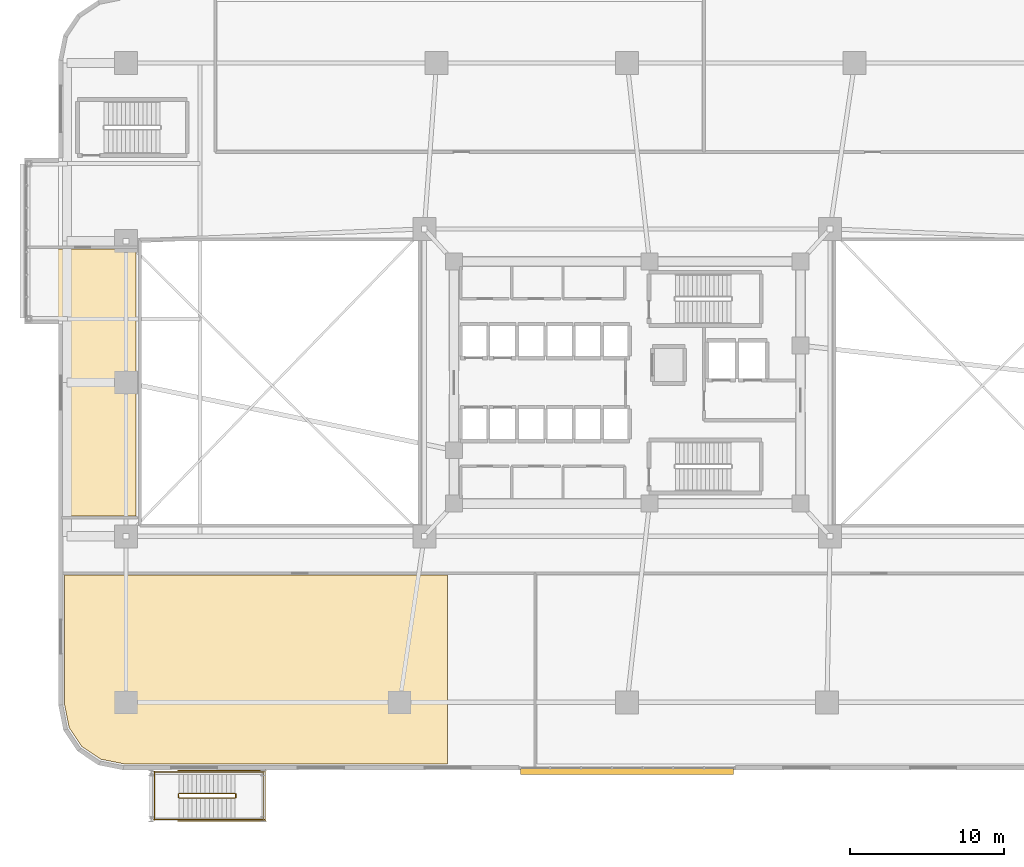
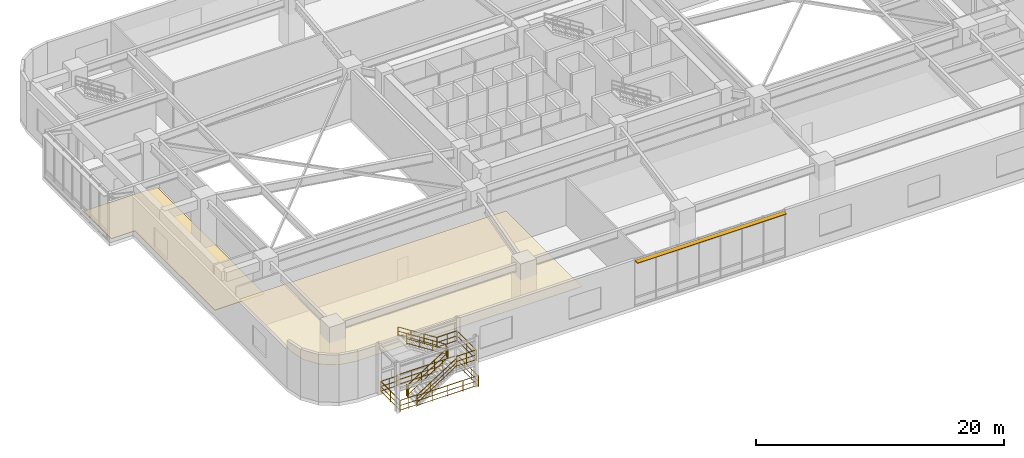
# One storey, part 20 of 24: 15 railings, 2 coverings, 1 shading device.
"""IFC4 building model written with IfcOpenShell, lengths in metres."""

from ifc_helpers import new_model, si_unit, direction, frame, origin, origin_2d, place, context, subcontext, project, spatial, polyline, rectangle, outline, extrude, material, layer, layer_set, type_object, element, save


model = new_model("IFC4")

# Units and contexts
model_context = context("Model", 3, precision=1e-05, world=origin(), true_north=direction((0.0, 1.0)))
body_context = subcontext(model_context, "Body", "Model", "MODEL_VIEW")
ifc_project = project(units=[si_unit("LENGTHUNIT", "METRE"), si_unit("AREAUNIT", "SQUARE_METRE"), si_unit("VOLUMEUNIT", "CUBIC_METRE"), si_unit("PLANEANGLEUNIT", "RADIAN"), si_unit("MASSUNIT", "GRAM", prefix="KILO")], contexts=[model_context])

# Site, building, storey
site_placement = place(None, origin())
site = spatial("IfcSite", under=ifc_project, at=site_placement, CompositionType="ELEMENT")
building_placement = place(site_placement, origin())
building = spatial("IfcBuilding", under=site, at=building_placement, Name="Zulverin Broadcast Headquarters", CompositionType="ELEMENT")
storey_placement = place(building_placement, frame((0.0, 0.0, 5.0)))
storey = spatial("IfcBuildingStorey", under=building, at=storey_placement, Name="L01", CompositionType="ELEMENT", Elevation=5.0)

# Coverings
ifc_material_1 = material(Name="Perforated pale-metal acoustic baffle ceiling", Category="aluminium")
ifc_layer_1 = layer(ifc_material_1, 0.0400390625, Name="Perforated pale-metal acoustic baffle ceiling", Category="aluminium")
ifc_layer_set_1 = layer_set([ifc_layer_1], Name="Perforated pale-metal acoustic baffle ceiling")
covering_type_1 = type_object("IfcCoveringType", Name="COV-CEIL-ACOU", PredefinedType="CEILING", material=ifc_layer_set_1)
covering_1_placement = place(storey_placement, frame((0.0, 0.0, 3.389892578125)))
element("IfcCovering", 1, at=covering_1_placement, inside=storey, type_object=covering_type_1, Name="L01 Acoustic Baffle Ceiling 01", PredefinedType="CEILING", context=body_context, shape_type="SweptSolid", body=[
    extrude(outline(polyline([(0.39990234375, 4.239990234375), (0.696044921875, 2.748046875), (1.52001953125, 1.52001953125), (2.748046875, 0.696044921875), (4.239990234375, 0.39990234375), (25.300048828125, 0.39990234375), (25.300048828125, 12.679931640625), (0.39990234375, 12.679931640625), (0.39990234375, 4.239990234375)])), origin(), (0.0, 0.0, 1.0), 0.0400390625),
])
ifc_material_2 = material(Name="Anti-static broadcast raised access flooring", Category="stone")
ifc_layer_2 = layer(ifc_material_2, 0.050048828125, Name="Anti-static broadcast raised access flooring", Category="stone")
ifc_layer_set_2 = layer_set([ifc_layer_2], Name="Anti-static broadcast raised access flooring")
covering_type_2 = type_object("IfcCoveringType", Name="COV-FLR-RAISED", PredefinedType="FLOORING", material=ifc_layer_set_2)
covering_2_placement = place(storey_placement, origin())
element("IfcCovering", 2, at=covering_2_placement, inside=storey, type_object=covering_type_2, Name="L01 Broadcast Raised Access Flooring 02", PredefinedType="FLOORING", context=body_context, shape_type="SweptSolid", body=[
    extrude(outline(polyline([(5.031982421875, 16.52001953125), (5.031982421875, 33.8798828125), (-1.800048828125, 33.8798828125), (-1.800048828125, 29.39990234375), (0.280029296875, 29.39990234375), (0.2919921875, 29.39990234375), (0.303955078125, 29.39599609375), (0.31591796875, 29.39599609375), (0.323974609375, 29.39208984375), (0.3359375, 29.384033203125), (0.347900390625, 29.3798828125), (0.35595703125, 29.3720703125), (0.364013671875, 29.364013671875), (0.3720703125, 29.35595703125), (0.3798828125, 29.347900390625), (0.384033203125, 29.3359375), (0.39208984375, 29.323974609375), (0.39599609375, 29.31591796875), (0.39599609375, 29.303955078125), (0.39990234375, 29.2919921875), (0.39990234375, 29.280029296875), (0.39990234375, 16.52001953125), (5.031982421875, 16.52001953125)])), origin(), (0.0, 0.0, 1.0), 0.050048828125),
])

# Railings
ifc_material_3 = material(Name="Painted galvanized steel tubular guardrail S355JR", Category="steel")
railing_type_1 = type_object("IfcRailingType", Name="RL-ST-GUARD", PredefinedType="GUARDRAIL", material=ifc_material_3)
railing_1_placement = place(storey_placement, frame((7.85009765625, -1.830078125, 0.178466796875)))
element("IfcRailing", 3, at=railing_1_placement, inside=storey, type_object=railing_type_1, Name="L01 ST-5 stair guard 1", PredefinedType="GUARDRAIL", context=body_context, shape_type="SweptSolid", body=[
    extrude(rectangle(XDim=0.048095703125, YDim=0.048095703125, at=origin_2d()), frame((0.0, 0.0, 1.076171875), z_axis=(0.843111507901, 0.0, 0.53773877045), x_axis=(0.0, 1.0, 0.0)), (0.0, 0.0, 1.0), 4.317138671875),
    extrude(rectangle(XDim=0.0419921875, YDim=0.0419921875, at=origin_2d()), frame((0.0, 0.0, 0.572021484375), z_axis=(0.843111507901, 0.0, 0.53773877045), x_axis=(0.0, 1.0, 0.0)), (0.0, 0.0, 1.0), 4.317138671875),
    extrude(rectangle(XDim=0.0419921875, YDim=0.0419921875, at=origin_2d()), frame((0.0, 0.0, 0.1201171875), z_axis=(0.843111507901, 0.0, 0.53773877045), x_axis=(0.0, 1.0, 0.0)), (0.0, 0.0, 1.0), 4.317138671875),
    extrude(rectangle(XDim=0.0419921875, YDim=0.0419921875, at=origin_2d()), origin(), (0.0, 0.0, 1.0), 1.052001953125),
    extrude(rectangle(XDim=0.0419921875, YDim=0.0419921875, at=origin_2d()), frame((1.21337890625, 0.0, 0.77392578125)), (0.0, 0.0, 1.0), 1.052001953125),
    extrude(rectangle(XDim=0.0419921875, YDim=0.0419921875, at=origin_2d()), frame((2.426513671875, 0.0, 1.547607421875)), (0.0, 0.0, 1.0), 1.052001953125),
    extrude(rectangle(XDim=0.0419921875, YDim=0.0419921875, at=origin_2d()), frame((3.639892578125, 0.0, 2.321533203125)), (0.0, 0.0, 1.0), 1.052001953125),
])
railing_2_placement = place(storey_placement, frame((11.5400390625, -1.780029296875, 2.5)))
element("IfcRailing", 4, at=railing_2_placement, inside=storey, type_object=railing_type_1, Name="L01 ST-5 stair guard 2", PredefinedType="GUARDRAIL", context=body_context, shape_type="SweptSolid", body=[
    extrude(rectangle(XDim=0.048095703125, YDim=0.048095703125, at=origin_2d()), frame((0.0, 0.0, 1.076171875), z_axis=(0.0, 1.0, 0.0), x_axis=(-1.0, 0.0, 0.0)), (0.0, 0.0, 1.0), 0.199951171875),
    extrude(rectangle(XDim=0.0419921875, YDim=0.0419921875, at=origin_2d()), frame((0.0, 0.0, 0.572021484375), z_axis=(0.0, 1.0, 0.0), x_axis=(-1.0, 0.0, 0.0)), (0.0, 0.0, 1.0), 0.199951171875),
    extrude(rectangle(XDim=0.0419921875, YDim=0.0419921875, at=origin_2d()), frame((0.0, 0.0, 0.1201171875), z_axis=(0.0, 1.0, 0.0), x_axis=(-1.0, 0.0, 0.0)), (0.0, 0.0, 1.0), 0.199951171875),
    extrude(rectangle(XDim=0.0419921875, YDim=0.0419921875, at=origin_2d()), origin(), (0.0, 0.0, 1.0), 1.052001953125),
    extrude(rectangle(XDim=0.0419921875, YDim=0.0419921875, at=origin_2d()), frame((0.0, 0.199951171875, 0.0)), (0.0, 0.0, 1.0), 1.052001953125),
])
for number, where, name in (
    (5, (11.489990234375, -3.22998046875, 2.5), "L01 ST-5 stair guard 3"),
    (6, (11.489990234375, -0.1298828125, 2.5), "L01 ST-5 stair guard 4"),
):
    element("IfcRailing", number, at=place(storey_placement, frame(where)), inside=storey, type_object=railing_type_1, Name=name, PredefinedType="GUARDRAIL", context=body_context, shape_type="SweptSolid", body=[
        extrude(rectangle(XDim=0.048095703125, YDim=0.048095703125, at=origin_2d()), frame((0.0, 0.0, 1.076171875), z_axis=(1.0, 0.0, 0.0), x_axis=(0.0, 1.0, 0.0)), (0.0, 0.0, 1.0), 1.909912109375),
        extrude(rectangle(XDim=0.0419921875, YDim=0.0419921875, at=origin_2d()), frame((0.0, 0.0, 0.572021484375), z_axis=(1.0, 0.0, 0.0), x_axis=(0.0, 1.0, 0.0)), (0.0, 0.0, 1.0), 1.909912109375),
        extrude(rectangle(XDim=0.0419921875, YDim=0.0419921875, at=origin_2d()), frame((0.0, 0.0, 0.1201171875), z_axis=(1.0, 0.0, 0.0), x_axis=(0.0, 1.0, 0.0)), (0.0, 0.0, 1.0), 1.909912109375),
        extrude(rectangle(XDim=0.0419921875, YDim=0.0419921875, at=origin_2d()), origin(), (0.0, 0.0, 1.0), 1.052001953125),
        extrude(rectangle(XDim=0.0419921875, YDim=0.0419921875, at=origin_2d()), frame((0.955078125, 0.0, 0.0)), (0.0, 0.0, 1.0), 1.052001953125),
        extrude(rectangle(XDim=0.0419921875, YDim=0.0419921875, at=origin_2d()), frame((1.909912109375, 0.0, 0.0)), (0.0, 0.0, 1.0), 1.052001953125),
    ])
railing_3_placement = place(storey_placement, frame((13.35009765625, -3.280029296875, 2.5)))
element("IfcRailing", 7, at=railing_3_placement, inside=storey, type_object=railing_type_1, Name="L01 ST-5 stair guard 5", PredefinedType="GUARDRAIL", context=body_context, shape_type="SweptSolid", body=[
    extrude(rectangle(XDim=0.048095703125, YDim=0.048095703125, at=origin_2d()), frame((0.0, 0.0, 1.076171875), z_axis=(0.0, 1.0, 0.0), x_axis=(-1.0, 0.0, 0.0)), (0.0, 0.0, 1.0), 3.199951171875),
    extrude(rectangle(XDim=0.0419921875, YDim=0.0419921875, at=origin_2d()), frame((0.0, 0.0, 0.572021484375), z_axis=(0.0, 1.0, 0.0), x_axis=(-1.0, 0.0, 0.0)), (0.0, 0.0, 1.0), 3.199951171875),
    extrude(rectangle(XDim=0.0419921875, YDim=0.0419921875, at=origin_2d()), frame((0.0, 0.0, 0.1201171875), z_axis=(0.0, 1.0, 0.0), x_axis=(-1.0, 0.0, 0.0)), (0.0, 0.0, 1.0), 3.199951171875),
    extrude(rectangle(XDim=0.0419921875, YDim=0.0419921875, at=origin_2d()), origin(), (0.0, 0.0, 1.0), 1.052001953125),
    extrude(rectangle(XDim=0.0419921875, YDim=0.0419921875, at=origin_2d()), frame((0.0, 1.60009765625, 0.0)), (0.0, 0.0, 1.0), 1.052001953125),
    extrude(rectangle(XDim=0.0419921875, YDim=0.0419921875, at=origin_2d()), frame((0.0, 3.199951171875, 0.0)), (0.0, 0.0, 1.0), 1.052001953125),
])
railing_4_placement = place(storey_placement, frame((11.489990234375, -1.530029296875, 2.678466796875)))
element("IfcRailing", 8, at=railing_4_placement, inside=storey, type_object=railing_type_1, Name="L01 ST-5 stair guard 6", PredefinedType="GUARDRAIL", context=body_context, shape_type="SweptSolid", body=[
    extrude(rectangle(XDim=0.048095703125, YDim=0.048095703125, at=origin_2d()), frame((0.0, 0.0, 1.076171875), z_axis=(-0.843111507901, 0.0, 0.53773877045), x_axis=(0.0, -1.0, 0.0)), (0.0, 0.0, 1.0), 4.317138671875),
    extrude(rectangle(XDim=0.0419921875, YDim=0.0419921875, at=origin_2d()), frame((0.0, 0.0, 0.572021484375), z_axis=(-0.843111507901, 0.0, 0.53773877045), x_axis=(0.0, -1.0, 0.0)), (0.0, 0.0, 1.0), 4.317138671875),
    extrude(rectangle(XDim=0.0419921875, YDim=0.0419921875, at=origin_2d()), frame((0.0, 0.0, 0.1201171875), z_axis=(-0.843111507901, 0.0, 0.53773877045), x_axis=(0.0, -1.0, 0.0)), (0.0, 0.0, 1.0), 4.317138671875),
    extrude(rectangle(XDim=0.0419921875, YDim=0.0419921875, at=origin_2d()), origin(), (0.0, 0.0, 1.0), 1.052001953125),
    extrude(rectangle(XDim=0.0419921875, YDim=0.0419921875, at=origin_2d()), frame((-1.21337890625, 0.0, 0.77392578125)), (0.0, 0.0, 1.0), 1.052001953125),
    extrude(rectangle(XDim=0.0419921875, YDim=0.0419921875, at=origin_2d()), frame((-2.426513671875, 0.0, 1.547607421875)), (0.0, 0.0, 1.0), 1.052001953125),
    extrude(rectangle(XDim=0.0419921875, YDim=0.0419921875, at=origin_2d()), frame((-3.639892578125, 0.0, 2.321533203125)), (0.0, 0.0, 1.0), 1.052001953125),
])
railing_5_placement = place(storey_placement, frame((7.800048828125, -1.780029296875, 0.0)))
element("IfcRailing", 9, at=railing_5_placement, inside=storey, type_object=railing_type_1, Name="L01 ST-5 stair guard 7", PredefinedType="GUARDRAIL", context=body_context, shape_type="SweptSolid", body=[
    extrude(rectangle(XDim=0.048095703125, YDim=0.048095703125, at=origin_2d()), frame((0.0, 0.0, 1.076171875), z_axis=(0.0, 1.0, 0.0), x_axis=(-1.0, 0.0, 0.0)), (0.0, 0.0, 1.0), 0.199951171875),
    extrude(rectangle(XDim=0.0419921875, YDim=0.0419921875, at=origin_2d()), frame((0.0, 0.0, 0.572021484375), z_axis=(0.0, 1.0, 0.0), x_axis=(-1.0, 0.0, 0.0)), (0.0, 0.0, 1.0), 0.199951171875),
    extrude(rectangle(XDim=0.0419921875, YDim=0.0419921875, at=origin_2d()), frame((0.0, 0.0, 0.1201171875), z_axis=(0.0, 1.0, 0.0), x_axis=(-1.0, 0.0, 0.0)), (0.0, 0.0, 1.0), 0.199951171875),
    extrude(rectangle(XDim=0.0419921875, YDim=0.0419921875, at=origin_2d()), origin(), (0.0, 0.0, 1.0), 1.052001953125),
    extrude(rectangle(XDim=0.0419921875, YDim=0.0419921875, at=origin_2d()), frame((0.0, 0.199951171875, 0.0)), (0.0, 0.0, 1.0), 1.052001953125),
])
for number, where, name in (
    (10, (6.199951171875, -3.22998046875, 0.0), "L01 ST-5 stair guard 8"),
    (11, (6.199951171875, -0.1298828125, 0.0), "L01 ST-5 stair guard 9"),
):
    element("IfcRailing", number, at=place(storey_placement, frame(where)), inside=storey, type_object=railing_type_1, Name=name, PredefinedType="GUARDRAIL", context=body_context, shape_type="SweptSolid", body=[
        extrude(rectangle(XDim=0.048095703125, YDim=0.048095703125, at=origin_2d()), frame((0.0, 0.0, 1.076171875), z_axis=(1.0, 0.0, 0.0), x_axis=(0.0, 1.0, 0.0)), (0.0, 0.0, 1.0), 1.650146484375),
        extrude(rectangle(XDim=0.0419921875, YDim=0.0419921875, at=origin_2d()), frame((0.0, 0.0, 0.572021484375), z_axis=(1.0, 0.0, 0.0), x_axis=(0.0, 1.0, 0.0)), (0.0, 0.0, 1.0), 1.650146484375),
        extrude(rectangle(XDim=0.0419921875, YDim=0.0419921875, at=origin_2d()), frame((0.0, 0.0, 0.1201171875), z_axis=(1.0, 0.0, 0.0), x_axis=(0.0, 1.0, 0.0)), (0.0, 0.0, 1.0), 1.650146484375),
        extrude(rectangle(XDim=0.0419921875, YDim=0.0419921875, at=origin_2d()), origin(), (0.0, 0.0, 1.0), 1.052001953125),
        extrude(rectangle(XDim=0.0419921875, YDim=0.0419921875, at=origin_2d()), frame((0.8251953125, 0.0, 0.0)), (0.0, 0.0, 1.0), 1.052001953125),
        extrude(rectangle(XDim=0.0419921875, YDim=0.0419921875, at=origin_2d()), frame((1.650146484375, 0.0, 0.0)), (0.0, 0.0, 1.0), 1.052001953125),
    ])
railing_6_placement = place(storey_placement, frame((6.25, -3.280029296875, 0.0)))
element("IfcRailing", 12, at=railing_6_placement, inside=storey, type_object=railing_type_1, Name="L01 ST-5 stair guard 10", PredefinedType="GUARDRAIL", context=body_context, shape_type="SweptSolid", body=[
    extrude(rectangle(XDim=0.048095703125, YDim=0.048095703125, at=origin_2d()), frame((0.0, 0.0, 1.076171875), z_axis=(0.0, 1.0, 0.0), x_axis=(-1.0, 0.0, 0.0)), (0.0, 0.0, 1.0), 3.199951171875),
    extrude(rectangle(XDim=0.0419921875, YDim=0.0419921875, at=origin_2d()), frame((0.0, 0.0, 0.572021484375), z_axis=(0.0, 1.0, 0.0), x_axis=(-1.0, 0.0, 0.0)), (0.0, 0.0, 1.0), 3.199951171875),
    extrude(rectangle(XDim=0.0419921875, YDim=0.0419921875, at=origin_2d()), frame((0.0, 0.0, 0.1201171875), z_axis=(0.0, 1.0, 0.0), x_axis=(-1.0, 0.0, 0.0)), (0.0, 0.0, 1.0), 3.199951171875),
    extrude(rectangle(XDim=0.0419921875, YDim=0.0419921875, at=origin_2d()), origin(), (0.0, 0.0, 1.0), 1.052001953125),
    extrude(rectangle(XDim=0.0419921875, YDim=0.0419921875, at=origin_2d()), frame((0.0, 1.60009765625, 0.0)), (0.0, 0.0, 1.0), 1.052001953125),
    extrude(rectangle(XDim=0.0419921875, YDim=0.0419921875, at=origin_2d()), frame((0.0, 3.199951171875, 0.0)), (0.0, 0.0, 1.0), 1.052001953125),
])
for number, where, name in (
    (13, (7.75, -3.330078125, 0.0), "L01 ST-5 stair guard 11"),
    (14, (7.75, -0.030029296875, 0.0), "L01 ST-5 stair guard 12"),
):
    element("IfcRailing", number, at=place(storey_placement, frame(where)), inside=storey, type_object=railing_type_1, Name=name, PredefinedType="GUARDRAIL", context=body_context, shape_type="SweptSolid", body=[
        extrude(rectangle(XDim=0.048095703125, YDim=0.048095703125, at=origin_2d()), frame((0.0, 0.0, 1.076171875), z_axis=(1.0, 0.0, 0.0), x_axis=(0.0, 1.0, 0.0)), (0.0, 0.0, 1.0), 5.75),
        extrude(rectangle(XDim=0.0419921875, YDim=0.0419921875, at=origin_2d()), frame((0.0, 0.0, 0.572021484375), z_axis=(1.0, 0.0, 0.0), x_axis=(0.0, 1.0, 0.0)), (0.0, 0.0, 1.0), 5.75),
        extrude(rectangle(XDim=0.0419921875, YDim=0.0419921875, at=origin_2d()), frame((0.0, 0.0, 0.1201171875), z_axis=(1.0, 0.0, 0.0), x_axis=(0.0, 1.0, 0.0)), (0.0, 0.0, 1.0), 5.75),
        extrude(rectangle(XDim=0.0419921875, YDim=0.0419921875, at=origin_2d()), origin(), (0.0, 0.0, 1.0), 1.052001953125),
        extrude(rectangle(XDim=0.0419921875, YDim=0.0419921875, at=origin_2d()), frame((1.4375, 0.0, 0.0)), (0.0, 0.0, 1.0), 1.052001953125),
        extrude(rectangle(XDim=0.0419921875, YDim=0.0419921875, at=origin_2d()), frame((2.875, 0.0, 0.0)), (0.0, 0.0, 1.0), 1.052001953125),
        extrude(rectangle(XDim=0.0419921875, YDim=0.0419921875, at=origin_2d()), frame((4.3125, 0.0, 0.0)), (0.0, 0.0, 1.0), 1.052001953125),
        extrude(rectangle(XDim=0.0419921875, YDim=0.0419921875, at=origin_2d()), frame((5.75, 0.0, 0.0)), (0.0, 0.0, 1.0), 1.052001953125),
    ])
railing_7_placement = place(storey_placement, frame((13.449951171875, -3.3798828125, 0.0)))
element("IfcRailing", 15, at=railing_7_placement, inside=storey, type_object=railing_type_1, Name="L01 ST-5 stair guard 13", PredefinedType="GUARDRAIL", context=body_context, shape_type="SweptSolid", body=[
    extrude(rectangle(XDim=0.048095703125, YDim=0.048095703125, at=origin_2d()), frame((0.0, 0.0, 1.076171875), z_axis=(0.0, 1.0, 0.0), x_axis=(-1.0, 0.0, 0.0)), (0.0, 0.0, 1.0), 3.39990234375),
    extrude(rectangle(XDim=0.0419921875, YDim=0.0419921875, at=origin_2d()), frame((0.0, 0.0, 0.572021484375), z_axis=(0.0, 1.0, 0.0), x_axis=(-1.0, 0.0, 0.0)), (0.0, 0.0, 1.0), 3.39990234375),
    extrude(rectangle(XDim=0.0419921875, YDim=0.0419921875, at=origin_2d()), frame((0.0, 0.0, 0.1201171875), z_axis=(0.0, 1.0, 0.0), x_axis=(-1.0, 0.0, 0.0)), (0.0, 0.0, 1.0), 3.39990234375),
    extrude(rectangle(XDim=0.0419921875, YDim=0.0419921875, at=origin_2d()), origin(), (0.0, 0.0, 1.0), 1.052001953125),
    extrude(rectangle(XDim=0.0419921875, YDim=0.0419921875, at=origin_2d()), frame((0.0, 1.13330078125, 0.0)), (0.0, 0.0, 1.0), 1.052001953125),
    extrude(rectangle(XDim=0.0419921875, YDim=0.0419921875, at=origin_2d()), frame((0.0, 2.2666015625, 0.0)), (0.0, 0.0, 1.0), 1.052001953125),
    extrude(rectangle(XDim=0.0419921875, YDim=0.0419921875, at=origin_2d()), frame((0.0, 3.39990234375, 0.0)), (0.0, 0.0, 1.0), 1.052001953125),
])
ifc_material_4 = material(Name="Brushed stainless steel 48 mm handrail", Category="steel")
railing_type_2 = type_object("IfcRailingType", Name="RL-ST-HAND", PredefinedType="HANDRAIL", material=ifc_material_4)
railing_8_placement = place(storey_placement, frame((7.85009765625, -3.22998046875, 0.178466796875)))
element("IfcRailing", 16, at=railing_8_placement, inside=storey, type_object=railing_type_2, Name="L01 ST-5 stair handrail 1", PredefinedType="HANDRAIL", context=body_context, shape_type="SweptSolid", body=[
    extrude(rectangle(XDim=0.048095703125, YDim=0.048095703125, at=origin_2d()), frame((0.0, 0.0, 0.8759765625), z_axis=(0.843111507901, 0.0, 0.53773877045), x_axis=(0.0, 1.0, 0.0)), (0.0, 0.0, 1.0), 4.317138671875),
    extrude(rectangle(XDim=0.0419921875, YDim=0.0419921875, at=origin_2d()), frame((0.0, 0.0, 0.468017578125), z_axis=(0.843111507901, 0.0, 0.53773877045), x_axis=(0.0, 1.0, 0.0)), (0.0, 0.0, 1.0), 4.317138671875),
    extrude(rectangle(XDim=0.0419921875, YDim=0.0419921875, at=origin_2d()), frame((0.0, 0.0, 0.1201171875), z_axis=(0.843111507901, 0.0, 0.53773877045), x_axis=(0.0, 1.0, 0.0)), (0.0, 0.0, 1.0), 4.317138671875),
    extrude(rectangle(XDim=0.0419921875, YDim=0.0419921875, at=origin_2d()), origin(), (0.0, 0.0, 1.0), 0.851806640625),
    extrude(rectangle(XDim=0.0419921875, YDim=0.0419921875, at=origin_2d()), frame((1.21337890625, 0.0, 0.77392578125)), (0.0, 0.0, 1.0), 0.851806640625),
    extrude(rectangle(XDim=0.0419921875, YDim=0.0419921875, at=origin_2d()), frame((2.426513671875, 0.0, 1.547607421875)), (0.0, 0.0, 1.0), 0.851806640625),
    extrude(rectangle(XDim=0.0419921875, YDim=0.0419921875, at=origin_2d()), frame((3.639892578125, 0.0, 2.321533203125)), (0.0, 0.0, 1.0), 0.851806640625),
])
railing_9_placement = place(storey_placement, frame((11.489990234375, -0.1298828125, 2.678466796875)))
element("IfcRailing", 17, at=railing_9_placement, inside=storey, type_object=railing_type_2, Name="L01 ST-5 stair handrail 2", PredefinedType="HANDRAIL", context=body_context, shape_type="SweptSolid", body=[
    extrude(rectangle(XDim=0.048095703125, YDim=0.048095703125, at=origin_2d()), frame((0.0, 0.0, 0.8759765625), z_axis=(-0.843111507901, 0.0, 0.53773877045), x_axis=(0.0, -1.0, 0.0)), (0.0, 0.0, 1.0), 4.317138671875),
    extrude(rectangle(XDim=0.0419921875, YDim=0.0419921875, at=origin_2d()), frame((0.0, 0.0, 0.468017578125), z_axis=(-0.843111507901, 0.0, 0.53773877045), x_axis=(0.0, -1.0, 0.0)), (0.0, 0.0, 1.0), 4.317138671875),
    extrude(rectangle(XDim=0.0419921875, YDim=0.0419921875, at=origin_2d()), frame((0.0, 0.0, 0.1201171875), z_axis=(-0.843111507901, 0.0, 0.53773877045), x_axis=(0.0, -1.0, 0.0)), (0.0, 0.0, 1.0), 4.317138671875),
    extrude(rectangle(XDim=0.0419921875, YDim=0.0419921875, at=origin_2d()), origin(), (0.0, 0.0, 1.0), 0.851806640625),
    extrude(rectangle(XDim=0.0419921875, YDim=0.0419921875, at=origin_2d()), frame((-1.21337890625, 0.0, 0.77392578125)), (0.0, 0.0, 1.0), 0.851806640625),
    extrude(rectangle(XDim=0.0419921875, YDim=0.0419921875, at=origin_2d()), frame((-2.426513671875, 0.0, 1.547607421875)), (0.0, 0.0, 1.0), 0.851806640625),
    extrude(rectangle(XDim=0.0419921875, YDim=0.0419921875, at=origin_2d()), frame((-3.639892578125, 0.0, 2.321533203125)), (0.0, 0.0, 1.0), 0.851806640625),
])

# Shading device
ifc_material_5 = material(Name="Anodized pale-metal aluminium sunshade", Category="aluminium")
ifc_layer_3 = layer(ifc_material_5, 0.06005859375, Name="Anodized pale-metal aluminium sunshade", Category="aluminium")
ifc_layer_set_3 = layer_set([ifc_layer_3], Name="Anodized pale-metal aluminium sunshade")
shading_device_type = type_object("IfcShadingDeviceType", Name="SS-01_PALE_METAL_ALUMINIUM_SUNSHADE", PredefinedType="USERDEFINED", material=ifc_layer_set_3)
shading_device_placement = place(storey_placement, frame((37.0, -0.080078125, 4.429931640625), z_axis=(0.0, 0.0, 1.0), x_axis=(1.0, 0.0, 0.0)))
element("IfcShadingDevice", 18, at=shading_device_placement, inside=storey, type_object=shading_device_type, Name="L01 Pale-Metal Horizontal Sunshade Band CW-L01-S4", ObjectType="SUNSHADE", PredefinedType="USERDEFINED", context=body_context, shape_type="SweptSolid", body=[
    extrude(rectangle(XDim=13.860107421875, YDim=0.449951171875, at=origin_2d()), origin(), (0.0, 0.0, 1.0), 0.06005859375),
])

save(model, "model.ifc")
